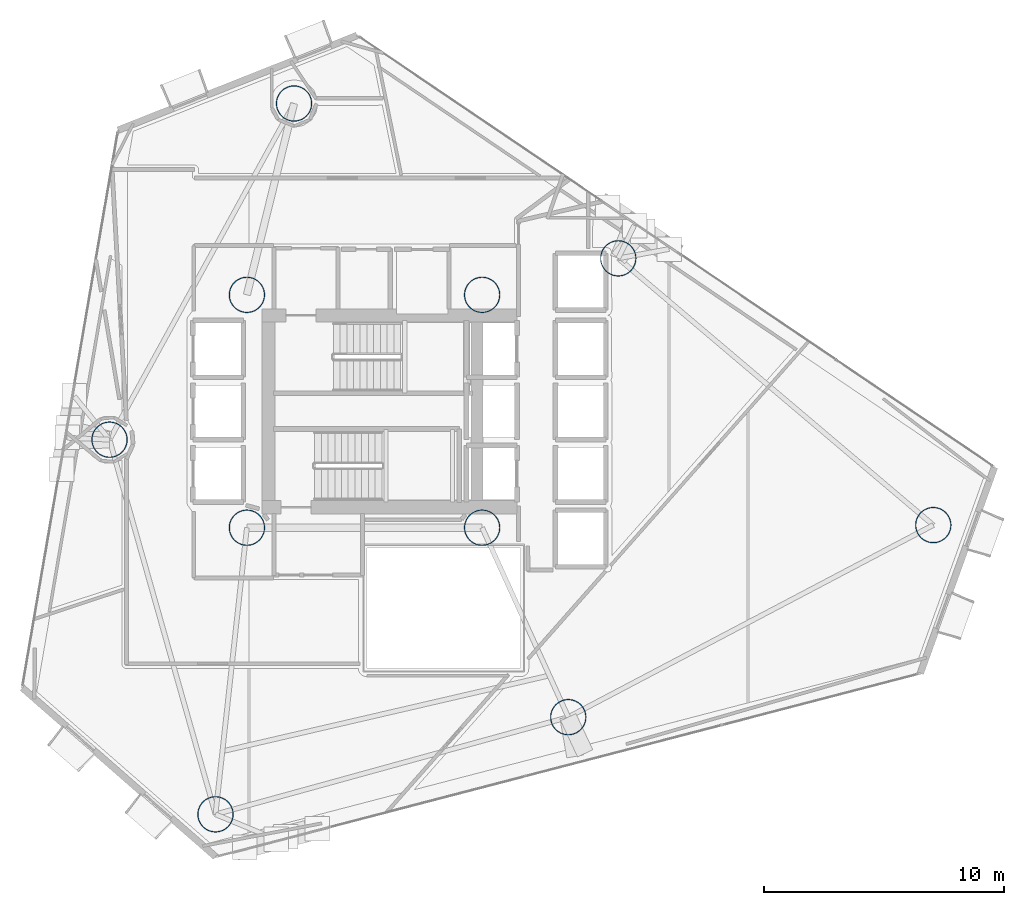
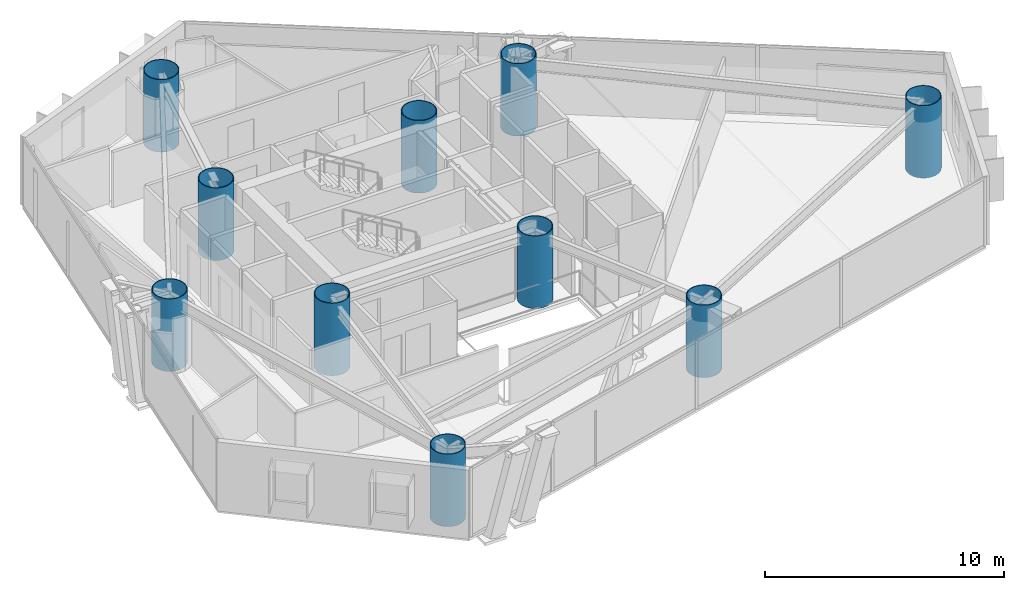
# One storey, part 1 of 21: 10 columns.
"""IFC4 building model written with IfcOpenShell, lengths in metres."""

from ifc_helpers import new_model, si_unit, direction, frame, origin, origin_2d, place, context, subcontext, project, spatial, hollow_circle, extrude, material, material_profile, profile_set, type_object, element, save


model = new_model("IFC4")

# Units and contexts
model_context = context("Model", 3, precision=1e-05, world=origin(), true_north=direction((0.0, 1.0)))
body_context = subcontext(model_context, "Body", "Model", "MODEL_VIEW")
ifc_project = project(units=[si_unit("LENGTHUNIT", "METRE"), si_unit("AREAUNIT", "SQUARE_METRE"), si_unit("VOLUMEUNIT", "CUBIC_METRE"), si_unit("PLANEANGLEUNIT", "RADIAN"), si_unit("MASSUNIT", "GRAM", prefix="KILO")], contexts=[model_context])

# Site, building, storey
site_placement = place(None, origin())
site = spatial("IfcSite", under=ifc_project, at=site_placement, CompositionType="ELEMENT")
building_placement = place(site_placement, origin())
building = spatial("IfcBuilding", under=site, at=building_placement, Name="Qianvela Tower", CompositionType="ELEMENT")
storey_placement = place(building_placement, frame((0.0, 0.0, 112.60009765625)))
storey = spatial("IfcBuildingStorey", under=building, at=storey_placement, Name="L28", CompositionType="ELEMENT", Elevation=112.60009765625)

# Columns
ifc_material = material(Name="Steel Q420GJC", Category="steel")
ifc_material_profile = material_profile(ifc_material, hollow_circle(Radius=0.75, WallThickness=0.035888671875, at=origin_2d()), Name="CFT-1500x36")
ifc_profile_set = profile_set([ifc_material_profile], Name="Steel Q420GJC")
column_type = type_object("IfcColumnType", Name="COL-CFT-1500x36", PredefinedType="COLUMN", material=ifc_profile_set)
for number, where, z_axis, x_axis, name in (
    (1, (28.60009765625, 33.550048828125, 0.0), (0.0, 0.0, 1.0), (1.0, 0.0, 0.0), "L28 Core Corner Mega-Column CC-NW"),
    (2, (28.60009765625, 23.85009765625, 0.0), (0.0, 0.0, 1.0), (1.0, 0.0, 0.0), "L28 Core Corner Mega-Column CC-SW"),
    (3, (38.39990234375, 33.550048828125, 0.0), (0.0, 0.0, 1.0), (1.0, 0.0, 0.0), "L28 Core Corner Mega-Column CC-NE"),
    (4, (38.39990234375, 23.85009765625, 0.0), (0.0, 0.0, 1.0), (1.0, 0.0, 0.0), "L28 Core Corner Mega-Column CC-SE"),
    (5, (57.194091796875, 23.9580078125, 0.0), (0.0, 0.0, 1.0), (1.0, 0.0, 0.0), "L28 Zone Z3 CFT Mega-Column C1"),
    (6, (44.071044921875, 35.070068359375, 0.0), (0.0, 0.0, 1.0), (1.0, 0.0, 0.0), "L28 Zone Z3 CFT Mega-Column C2"),
    (7, (30.56396484375, 41.52099609375, 0.0), (0.0, 0.0, 1.0), (1.0, 0.0, 0.0), "L28 Zone Z3 CFT Mega-Column C3"),
    (8, (22.8779296875, 27.51611328125, 0.0), (0.0, 0.0, 1.0), (1.0, 0.0, 0.0), "L28 Zone Z3 CFT Mega-Column C4"),
    (9, (27.2919921875, 11.908935546875, 0.0), (0.0, 0.0, 1.0), (1.0, 0.0, 0.0), "L28 Zone Z3 CFT Mega-Column C5"),
    (10, (41.988037109375, 15.95703125, 0.0), (0.0, 0.0, 1.0), (1.0, 0.0, 0.0), "L28 Zone Z3 CFT Mega-Column C6"),
):
    element("IfcColumn", number, at=place(storey_placement, frame(where, z_axis=z_axis, x_axis=x_axis)), inside=storey, type_object=column_type, Name=name, PredefinedType="COLUMN", context=body_context, shape_type="SweptSolid", body=[
        extrude(hollow_circle(Radius=0.75, WallThickness=0.035888671875, at=origin_2d()), origin(), (0.0, 0.0, 1.0), 3.699951171875),
    ])

save(model, "model.ifc")
